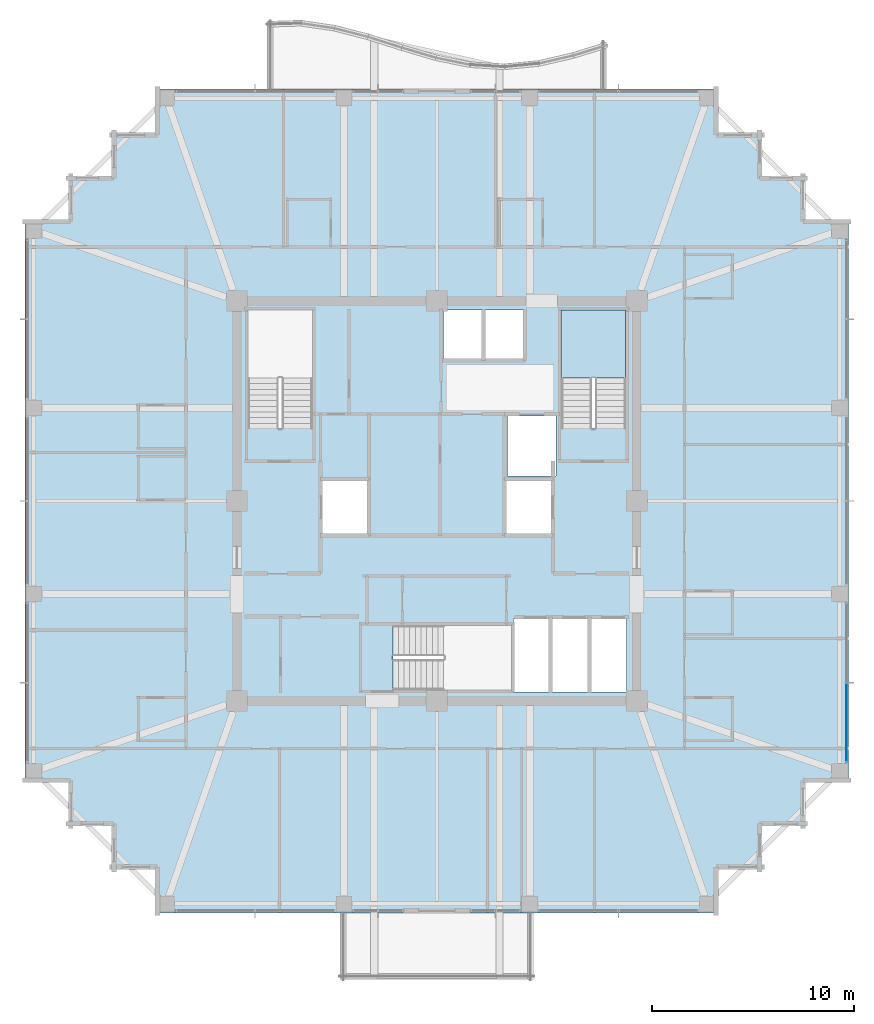
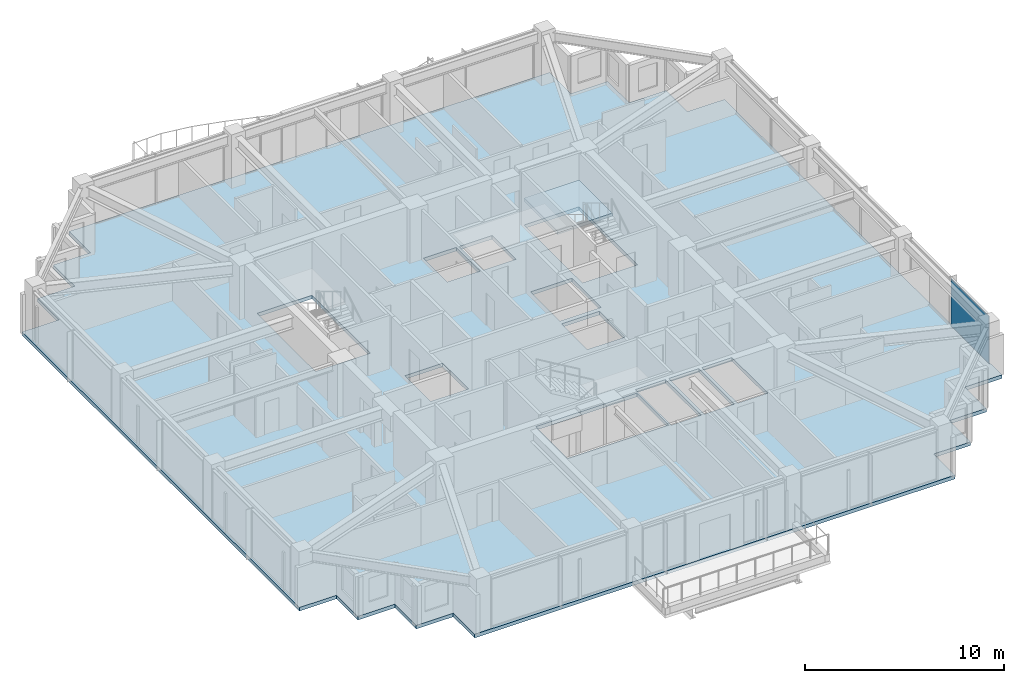
# One storey, part 26 of 36: 2 slabs, 1 plate, 2 elements without a shape of their own.
"""IFC4 building model written with IfcOpenShell, lengths in metres."""

from ifc_helpers import new_model, si_unit, direction, frame, origin, origin_2d, place, context, subcontext, project, spatial, polyline, rectangle, outline, extrude, material, layer, layer_set, type_object, element, aggregate, save


model = new_model("IFC4")

# Units and contexts
model_context = context("Model", 3, precision=1e-05, world=origin(), true_north=direction((0.0, 1.0)))
body_context = subcontext(model_context, "Body", "Model", "MODEL_VIEW")
ifc_project = project(units=[si_unit("LENGTHUNIT", "METRE"), si_unit("AREAUNIT", "SQUARE_METRE"), si_unit("VOLUMEUNIT", "CUBIC_METRE"), si_unit("PLANEANGLEUNIT", "RADIAN"), si_unit("MASSUNIT", "GRAM", prefix="KILO")], contexts=[model_context])

# Site, building, storey
site_placement = place(None, origin())
site = spatial("IfcSite", under=ifc_project, at=site_placement, CompositionType="ELEMENT")
building_placement = place(site_placement, origin())
building = spatial("IfcBuilding", under=site, at=building_placement, Name="Kolvaren Belvedere", CompositionType="ELEMENT")
storey_placement = place(building_placement, frame((0.0, 0.0, 226.199951171875)))
storey = spatial("IfcBuildingStorey", under=building, at=storey_placement, Name="L66", CompositionType="ELEMENT", Elevation=226.199951171875)

# Curtain wall, plate
ifc_material_1 = material(Name="Anodised pale-metal aluminium AA 6063-T6", Category="aluminium")
curtain_wall_type = type_object("IfcCurtainWallType", Name="CW-Z5-HIGH", PredefinedType="NOTDEFINED", material=ifc_material_1)
curtain_wall_placement = place(storey_placement, origin())
curtain_wall = element("IfcCurtainWall", 1, at=curtain_wall_placement, inside=storey, type_object=curtain_wall_type, Name="L66 Unitised Curtain Wall FCW-L66-E-B3", PredefinedType="NOTDEFINED")
ifc_material_2 = material(Name="Low-iron triple insulated glass", Category="glass")
ifc_layer_1 = layer(ifc_material_2, 0.028076171875)
ifc_layer_set_1 = layer_set([ifc_layer_1], Name="Low-iron triple insulated glass")
plate_type = type_object("IfcPlateType", Name="CW-PNL-VIS28", PredefinedType="CURTAIN_PANEL", material=ifc_layer_set_1)
plate_placement = place(storey_placement, frame((20.280029296875, -10.972412109375, 0.080078125), z_axis=(0.0, 0.0, 1.0), x_axis=(0.0, -1.0, 0.0)))
plate = element("IfcPlate", 2, at=plate_placement, type_object=plate_type, Name="FCW-L66-E-B3 Vision Glazing Panel 2", PredefinedType="CURTAIN_PANEL", context=body_context, shape_type="SweptSolid", body=[
    extrude(rectangle(XDim=3.864990234375, YDim=0.028076171875, at=origin_2d()), origin(), (0.0, 0.0, 1.0), 2.919921875),
])
aggregate(curtain_wall, [plate])

# Slab
ifc_material_3 = material(Name="Concrete C50/60", Category="concrete")
ifc_layer_2 = layer(ifc_material_3, 0.219970703125)
ifc_layer_set_2 = layer_set([ifc_layer_2], Name="Concrete C50/60")
slab_type_1 = type_object("IfcSlabType", Name="SL-FLR-220", PredefinedType="FLOOR", material=ifc_layer_set_2)
slab_1_placement = place(storey_placement, frame((0.0, 0.0, -0.219970703125)))
element("IfcSlab", 3, at=slab_1_placement, inside=storey, type_object=slab_type_1, Name="L66 Primary Structural Slab", PredefinedType="FLOOR", context=body_context, shape_type="SweptSolid", body=[
    extrude(outline(polyline([(-13.949951171875, -20.39990234375), (13.949951171875, -20.39990234375), (13.949951171875, -18.25), (16.10009765625, -18.25), (16.10009765625, -16.10009765625), (18.25, -16.10009765625), (18.25, -13.949951171875), (20.39990234375, -13.949951171875), (20.39990234375, 13.949951171875), (18.25, 13.949951171875), (18.25, 16.10009765625), (16.10009765625, 16.10009765625), (16.10009765625, 18.25), (13.949951171875, 18.25), (13.949951171875, 20.39990234375), (-13.949951171875, 20.39990234375), (-13.949951171875, 18.25), (-16.10009765625, 18.25), (-16.10009765625, 16.10009765625), (-18.25, 16.10009765625), (-18.25, 13.949951171875), (-20.39990234375, 13.949951171875), (-20.39990234375, -13.949951171875), (-18.25, -13.949951171875), (-18.25, -16.10009765625), (-16.10009765625, -16.10009765625), (-16.10009765625, -18.25), (-13.949951171875, -18.25), (-13.949951171875, -20.39990234375)]), holes=[polyline([(-9.35009765625, 3.580078125), (-6.159912109375, 3.580078125), (-6.159912109375, 9.449951171875), (-9.35009765625, 9.449951171875), (-9.35009765625, 3.580078125)]), polyline([(6.159912109375, 3.580078125), (9.35009765625, 3.580078125), (9.35009765625, 9.449951171875), (6.159912109375, 9.449951171875), (6.159912109375, 3.580078125)]), polyline([(-2.169921875, -9.35009765625), (3.699951171875, -9.35009765625), (3.699951171875, -6.159912109375), (-2.169921875, -6.159912109375), (-2.169921875, -9.35009765625)]), polyline([(-5.64990234375, -1.60009765625), (-3.449951171875, -1.60009765625), (-3.449951171875, 1.0), (-5.64990234375, 1.0), (-5.64990234375, -1.60009765625)]), polyline([(3.5, 1.25), (5.89990234375, 1.25), (5.89990234375, 4.199951171875), (3.5, 4.199951171875), (3.5, 1.25)]), polyline([(3.449951171875, -1.60009765625), (5.64990234375, -1.60009765625), (5.64990234375, 1.0), (3.449951171875, 1.0), (3.449951171875, -1.60009765625)]), polyline([(3.7900390625, -9.449951171875), (5.5400390625, -9.449951171875), (5.5400390625, -5.85009765625), (3.7900390625, -5.85009765625), (3.7900390625, -9.449951171875)]), polyline([(5.719970703125, -9.449951171875), (7.469970703125, -9.449951171875), (7.469970703125, -5.85009765625), (5.719970703125, -5.85009765625), (5.719970703125, -9.449951171875)]), polyline([(7.64990234375, -9.449951171875), (9.39990234375, -9.449951171875), (9.39990234375, -5.85009765625), (7.64990234375, -5.85009765625), (7.64990234375, -9.449951171875)]), polyline([(0.320068359375, 7.050048828125), (2.219970703125, 7.050048828125), (2.219970703125, 9.449951171875), (0.320068359375, 9.449951171875), (0.320068359375, 7.050048828125)]), polyline([(2.39990234375, 7.050048828125), (4.300048828125, 7.050048828125), (4.300048828125, 9.449951171875), (2.39990234375, 9.449951171875), (2.39990234375, 7.050048828125)])]), origin(), (0.0, 0.0, 1.0), 0.219970703125),
])

# Stair, slab
ifc_material_4 = material(Name="Concrete C50/60", Category="concrete")
stair_type = type_object("IfcStairType", Name="ST-CORE-1520", PredefinedType="HALF_TURN_STAIR", material=ifc_material_4)
stair_placement = place(storey_placement, origin())
stair = element("IfcStair", 4, at=stair_placement, inside=storey, type_object=stair_type, Name="L66 Protected Exit Stair ST-2", PredefinedType="HALF_TURN_STAIR")
ifc_material_5 = material(Name="Concrete C50/60", Category="concrete")
ifc_layer_3 = layer(ifc_material_5, 0.260009765625)
ifc_layer_set_3 = layer_set([ifc_layer_3], Name="Concrete C50/60")
slab_type_2 = type_object("IfcSlabType", Name="SL-LAND-260", PredefinedType="LANDING", material=ifc_layer_set_3)
slab_2_placement = place(storey_placement, frame((0.0, 0.0, 1.449951171875)))
slab_2 = element("IfcSlab", 5, at=slab_2_placement, type_object=slab_type_2, Name="ST-2 landing 1", PredefinedType="LANDING", context=body_context, shape_type="SweptSolid", body=[
    extrude(outline(polyline([(9.35009765625, 6.090087890625), (9.35009765625, 9.449951171875), (6.159912109375, 9.449951171875), (6.159912109375, 6.090087890625), (9.35009765625, 6.090087890625)])), origin(), (0.0, 0.0, 1.0), 0.2001953125),
])
aggregate(stair, [slab_2])

save(model, "model.ifc")
